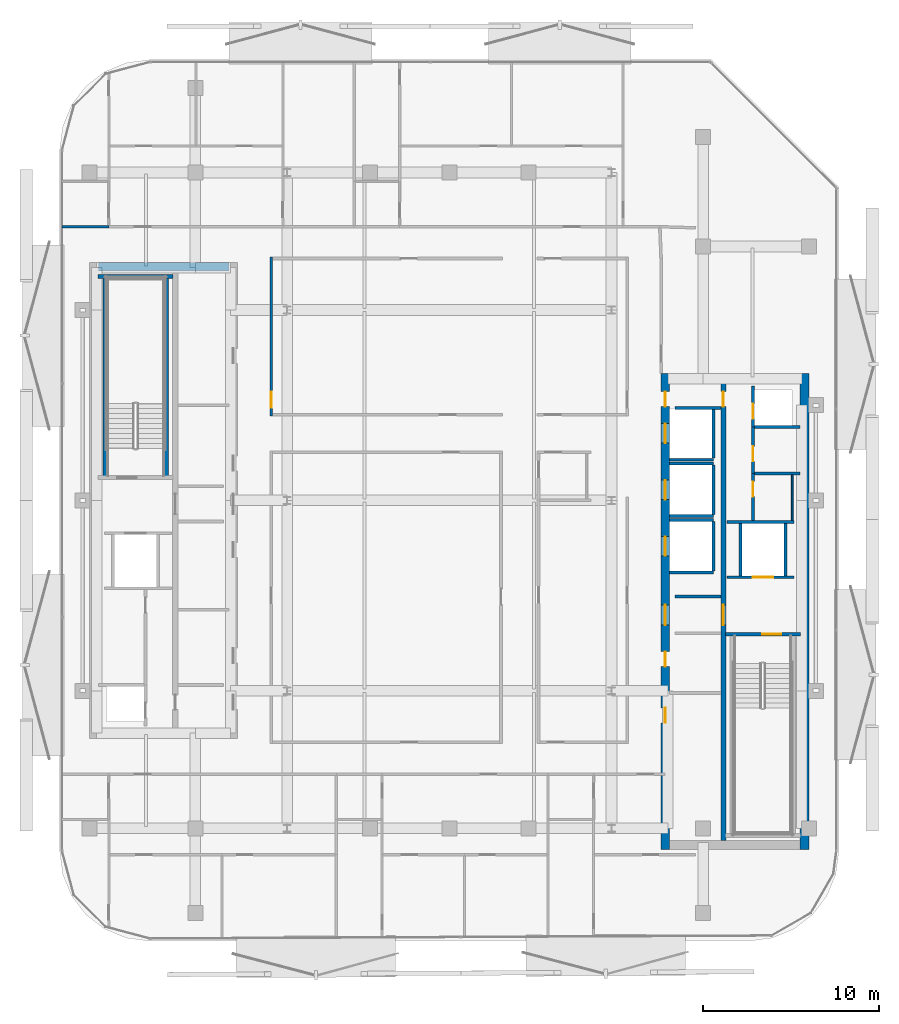
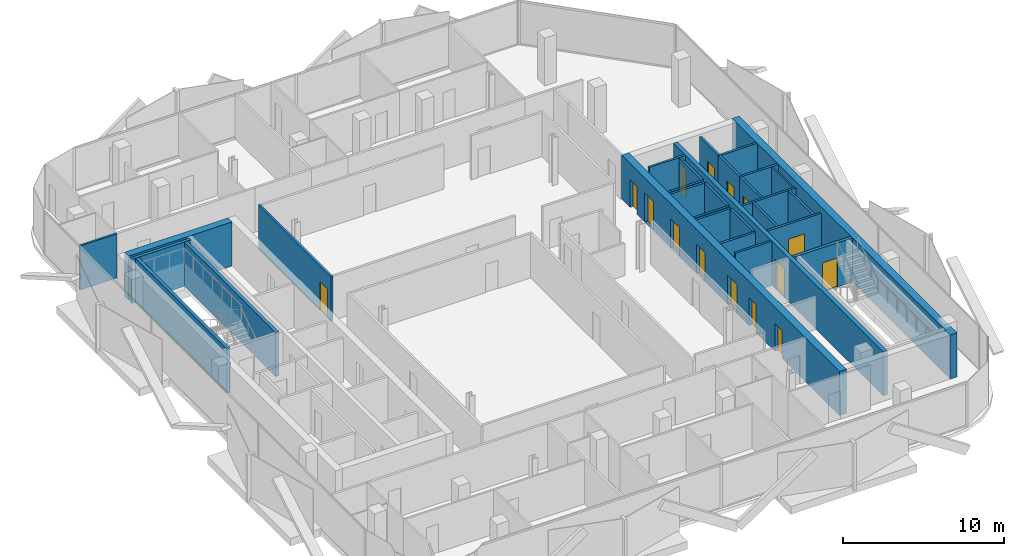
# One storey, part 5 of 15: 30 walls, 15 doors, 15 openings.
"""IFC4 building model written with IfcOpenShell, lengths in metres."""

from ifc_helpers import new_model, si_unit, direction, frame, frame_2d, origin, place, context, subcontext, project, spatial, rectangle, extrude, material, layer, layer_set, type_object, element, fill, save


model = new_model("IFC4")

# Units and contexts
model_context = context("Model", 3, precision=1e-05, world=origin(), true_north=direction((0.0, 1.0)))
body_context = subcontext(model_context, "Body", "Model", "MODEL_VIEW")
ifc_project = project(units=[si_unit("LENGTHUNIT", "METRE"), si_unit("AREAUNIT", "SQUARE_METRE"), si_unit("VOLUMEUNIT", "CUBIC_METRE"), si_unit("PLANEANGLEUNIT", "RADIAN"), si_unit("MASSUNIT", "GRAM", prefix="KILO")], contexts=[model_context])

# Site, building, storey
site_placement = place(None, origin())
site = spatial("IfcSite", under=ifc_project, at=site_placement, CompositionType="ELEMENT")
building_placement = place(site_placement, origin())
building = spatial("IfcBuilding", under=site, at=building_placement, Name="Khairoan Windgate Tower", CompositionType="ELEMENT")
storey_placement = place(building_placement, frame((0.0, 0.0, 254.800048828125)))
storey = spatial("IfcBuildingStorey", under=building, at=storey_placement, Name="L60", CompositionType="ELEMENT", Elevation=254.800048828125)

# Walls
ifc_material_1 = material(Name="Moisture-Resistant Gypsum Partition", Category="gypsum")
ifc_layer_1 = layer(ifc_material_1, 0.10009765625, Name="Moisture-Resistant Gypsum Partition")
ifc_layer_set_1 = layer_set([ifc_layer_1], Name="Moisture-Resistant Gypsum Partition")
wall_type_1 = type_object("IfcWallType", Name="Bathroom Wet-Area Partition Wall", PredefinedType="PARTITIONING", material=ifc_layer_set_1)
wall_1_placement = place(storey_placement, frame((19.449951171875, 1.449951171875, 0.0), z_axis=(0.0, 0.0, 1.0), x_axis=(0.0, -1.0, 0.0)))
element("IfcWall", 1, at=wall_1_placement, inside=storey, type_object=wall_type_1, Name="L60 Wet Room Side Wall 088", PredefinedType="PARTITIONING", context=body_context, shape_type="SweptSolid", body=[
    extrude(rectangle(XDim=2.58984375, YDim=0.10009765625, at=frame_2d((1.294921875, 0.0))), origin(), (0.0, 0.0, 1.0), 3.33984375),
])
ifc_material_2 = material(Name="Concrete C40/50", Category="concrete")
ifc_layer_2 = layer(ifc_material_2, 0.159912109375, Name="Concrete C40/50")
ifc_layer_set_2 = layer_set([ifc_layer_2], Name="Concrete C40/50")
wall_type_2 = type_object("IfcWallType", Name="Core and Hoistway Enclosure Wall", PredefinedType="STANDARD", material=ifc_layer_set_2)
wall_2_placement = place(storey_placement, frame((12.5, 2.31005859375, 0.0), z_axis=(0.0, 0.0, 1.0), x_axis=(1.0, 0.0, 0.0)))
element("IfcWall", 2, at=wall_2_placement, inside=storey, type_object=wall_type_2, Name="L60 Lift PL7 Hoistway Divider S", PredefinedType="STANDARD", context=body_context, shape_type="SweptSolid", body=[
    extrude(rectangle(XDim=2.489990234375, YDim=0.159912109375, at=frame_2d((1.2451171875, 0.0))), origin(), (0.0, 0.0, 1.0), 3.33984375),
])
wall_3_placement = place(storey_placement, frame((14.989990234375, 2.39990234375, 0.0), z_axis=(0.0, 0.0, 1.0), x_axis=(0.0, 1.0, 0.0)))
element("IfcWall", 3, at=wall_3_placement, inside=storey, type_object=wall_type_2, Name="L60 Lift PL7 Hoistway Back Wall", PredefinedType="STANDARD", context=body_context, shape_type="SweptSolid", body=[
    extrude(rectangle(XDim=2.800048828125, YDim=0.159912109375, at=frame_2d((1.39990234375, 0.0))), origin(), (0.0, 0.0, 1.0), 3.33984375),
])
for number, where, z_axis, x_axis, name in (
    (4, (12.5, -0.889892578125, 0.0), (0.0, 0.0, 1.0), (1.0, 0.0, 0.0), "L60 Lift PL8 Hoistway Divider S"),
    (5, (12.5, 2.090087890625, 0.0), (0.0, 0.0, 1.0), (1.0, 0.0, 0.0), "L60 Lift PL8 Hoistway Divider N"),
):
    element("IfcWall", number, at=place(storey_placement, frame(where, z_axis=z_axis, x_axis=x_axis)), inside=storey, type_object=wall_type_2, Name=name, PredefinedType="STANDARD", context=body_context, shape_type="SweptSolid", body=[
        extrude(rectangle(XDim=2.489990234375, YDim=0.159912109375, at=frame_2d((1.2451171875, 0.0))), origin(), (0.0, 0.0, 1.0), 3.33984375),
    ])
wall_4_placement = place(storey_placement, frame((14.989990234375, -0.800048828125, 0.0), z_axis=(0.0, 0.0, 1.0), x_axis=(0.0, 1.0, 0.0)))
element("IfcWall", 6, at=wall_4_placement, inside=storey, type_object=wall_type_2, Name="L60 Lift PL8 Hoistway Back Wall", PredefinedType="STANDARD", context=body_context, shape_type="SweptSolid", body=[
    extrude(rectangle(XDim=2.800048828125, YDim=0.159912109375, at=frame_2d((1.39990234375, 0.0))), origin(), (0.0, 0.0, 1.0), 3.33984375),
])
for number, where, z_axis, x_axis, name in (
    (7, (12.5, -4.090087890625, 0.0), (0.0, 0.0, 1.0), (1.0, 0.0, 0.0), "L60 Lift PL9 Hoistway Divider S"),
    (8, (12.5, -1.110107421875, 0.0), (0.0, 0.0, 1.0), (1.0, 0.0, 0.0), "L60 Lift PL9 Hoistway Divider N"),
):
    element("IfcWall", number, at=place(storey_placement, frame(where, z_axis=z_axis, x_axis=x_axis)), inside=storey, type_object=wall_type_2, Name=name, PredefinedType="STANDARD", context=body_context, shape_type="SweptSolid", body=[
        extrude(rectangle(XDim=2.489990234375, YDim=0.159912109375, at=frame_2d((1.2451171875, 0.0))), origin(), (0.0, 0.0, 1.0), 3.33984375),
    ])
wall_5_placement = place(storey_placement, frame((14.989990234375, -4.0, 0.0), z_axis=(0.0, 0.0, 1.0), x_axis=(0.0, 1.0, 0.0)))
element("IfcWall", 9, at=wall_5_placement, inside=storey, type_object=wall_type_2, Name="L60 Lift PL9 Hoistway Back Wall", PredefinedType="STANDARD", context=body_context, shape_type="SweptSolid", body=[
    extrude(rectangle(XDim=2.800048828125, YDim=0.159912109375, at=frame_2d((1.39990234375, 0.0))), origin(), (0.0, 0.0, 1.0), 3.33984375),
])

# Wall, opening, door
wall_6_placement = place(storey_placement, frame((15.75, -4.360107421875, 0.0), z_axis=(0.0, 0.0, 1.0), x_axis=(1.0, 0.0, 0.0)))
wall_6 = element("IfcWall", 10, at=wall_6_placement, inside=storey, type_object=wall_type_2, Name="L60 Core Shaft Wall SW-FL1-L60", PredefinedType="STANDARD", context=body_context, shape_type="SweptSolid", body=[
    extrude(rectangle(XDim=3.800048828125, YDim=0.159912109375, at=frame_2d((1.89990234375, 0.0))), origin(), (0.0, 0.0, 1.0), 3.33984375),
])
opening_1_placement = place(wall_6_placement, frame((1.469970703125, 0.0, 0.0)))
opening_1 = element("IfcOpeningElement", 11, at=opening_1_placement, cuts=wall_6, Name="Opening LD-FL", PredefinedType="OPENING", context=body_context, shape_type="SweptSolid", body=[
    extrude(rectangle(XDim=1.14990234375, YDim=2.199951171875, at=frame_2d((0.574951171875, 1.10009765625))), frame((0.0, 0.08984375, 0.0), z_axis=(0.0, -1.0, 0.0), x_axis=(1.0, 0.0, 0.0)), (0.0, 0.0, 1.0), 0.179931640625),
])
ifc_material_3 = material(Name="Steel S355", Category="steel")
door_type_1 = type_object("IfcDoorType", Name="Firefighting Lift Sliding Landing Door LD-FL 1150x2200", OperationType="DOUBLE_DOOR_SLIDING", PredefinedType="DOOR", material=ifc_material_3)
door_1_placement = place(opening_1_placement, origin())
door_1 = element("IfcDoor", 12, at=door_1_placement, inside=storey, type_object=door_type_1, Name="L60 Firefighting Lift FL1 Landing Door", OperationType="DOUBLE_DOOR_SLIDING", OverallHeight=2.199951171875, OverallWidth=1.14990234375, PredefinedType="DOOR", context=body_context, shape_type="SweptSolid", body=[
    extrude(rectangle(XDim=1.14990234375, YDim=2.199951171875, at=frame_2d((0.574951171875, 1.10009765625))), frame((0.0, 0.02490234375, 0.0), z_axis=(0.0, -1.0, 0.0), x_axis=(1.0, 0.0, 0.0)), (0.0, 0.0, 1.0), 0.050048828125),
])
fill(opening_1, door_1)

# Walls
wall_7_placement = place(storey_placement, frame((15.75, -1.219970703125, 0.0), z_axis=(0.0, 0.0, 1.0), x_axis=(1.0, 0.0, 0.0)))
element("IfcWall", 13, at=wall_7_placement, inside=storey, type_object=wall_type_2, Name="L60 Core Shaft Wall SW-FL1T-L60", PredefinedType="STANDARD", context=body_context, shape_type="SweptSolid", body=[
    extrude(rectangle(XDim=3.800048828125, YDim=0.159912109375, at=frame_2d((1.89990234375, 0.0))), origin(), (0.0, 0.0, 1.0), 3.33984375),
])
for number, where, z_axis, x_axis, name in (
    (14, (16.52001953125, -4.280029296875, 0.0), (0.0, 0.0, 1.0), (0.0, 1.0, 0.0), "L60 Core Shaft Wall SW-FL1W-L60"),
    (15, (19.080078125, -4.280029296875, 0.0), (0.0, 0.0, 1.0), (0.0, 1.0, 0.0), "L60 Core Shaft Wall SW-FL1E-L60"),
):
    element("IfcWall", number, at=place(storey_placement, frame(where, z_axis=z_axis, x_axis=x_axis)), inside=storey, type_object=wall_type_2, Name=name, PredefinedType="STANDARD", context=body_context, shape_type="SweptSolid", body=[
        extrude(rectangle(XDim=2.97998046875, YDim=0.159912109375, at=frame_2d((1.489990234375, 0.0))), origin(), (0.0, 0.0, 1.0), 3.33984375),
    ])
for number, where, z_axis, x_axis, name in (
    (16, (12.800048828125, -5.449951171875, 0.0), (0.0, 0.0, 1.0), (1.0, 0.0, 0.0), "L60 Core Shaft Wall SW-EV1-L60"),
    (17, (12.800048828125, 5.25, 0.0), (0.0, 0.0, 1.0), (1.0, 0.0, 0.0), "L60 Core Shaft Wall SW-ESV-L60"),
):
    element("IfcWall", number, at=place(storey_placement, frame(where, z_axis=z_axis, x_axis=x_axis)), inside=storey, type_object=wall_type_2, Name=name, PredefinedType="STANDARD", context=body_context, shape_type="SweptSolid", body=[
        extrude(rectangle(XDim=2.599853515625, YDim=0.159912109375, at=frame_2d((1.2998046875, 0.0))), origin(), (0.0, 0.0, 1.0), 3.33984375),
    ])

# Wall, opening, door
ifc_material_4 = material(Name="Concrete C40/50", Category="concrete")
ifc_layer_3 = layer(ifc_material_4, 0.159912109375, Name="Concrete C40/50")
ifc_layer_set_3 = layer_set([ifc_layer_3], Name="Concrete C40/50")
wall_type_3 = type_object("IfcWallType", Name="Plant and Refuge Compartment Wall", PredefinedType="PARTITIONING", material=ifc_layer_set_3)
wall_8_placement = place(storey_placement, frame((17.22998046875, 4.169921875, 0.0), z_axis=(0.0, 0.0, 1.0), x_axis=(0.0, 1.0, 0.0)))
wall_8 = element("IfcWall", 18, at=wall_8_placement, inside=storey, type_object=wall_type_3, Name="L60 Interior Partition 006", PredefinedType="PARTITIONING", context=body_context, shape_type="SweptSolid", body=[
    extrude(rectangle(XDim=2.320068359375, YDim=0.159912109375, at=frame_2d((1.16015625, 0.0))), origin(), (0.0, 0.0, 1.0), 3.33984375),
])
opening_2_placement = place(wall_8_placement, frame((0.4599609375, 0.0, 0.0)))
opening_2 = element("IfcOpeningElement", 19, at=opening_2_placement, cuts=wall_8, Name="Opening FD-SRV", PredefinedType="OPENING", context=body_context, shape_type="SweptSolid", body=[
    extrude(rectangle(XDim=0.85009765625, YDim=2.10009765625, at=frame_2d((0.425048828125, 1.050048828125))), frame((0.0, 0.08984375, 0.0), z_axis=(0.0, -1.0, 0.0), x_axis=(1.0, 0.0, 0.0)), (0.0, 0.0, 1.0), 0.179931640625),
])
ifc_material_5 = material(Name="Steel S355", Category="steel")
door_type_2 = type_object("IfcDoorType", Name="Core Service and Riser Fire Door FD-SRV 850x2100", OperationType="NOTDEFINED", PredefinedType="DOOR", material=ifc_material_5)
door_2_placement = place(opening_2_placement, origin())
door_2 = element("IfcDoor", 20, at=door_2_placement, inside=storey, type_object=door_type_2, Name="L60 L60-16-L60-17 Door", OperationType="SINGLE_SWING_RIGHT", OverallHeight=2.10009765625, OverallWidth=0.85009765625, PredefinedType="DOOR", context=body_context, shape_type="SweptSolid", body=[
    extrude(rectangle(XDim=0.85009765625, YDim=2.10009765625, at=frame_2d((0.425048828125, 1.050048828125))), frame((0.0, 0.02490234375, 0.0), z_axis=(0.0, -1.0, 0.0), x_axis=(1.0, 0.0, 0.0)), (0.0, 0.0, 1.0), 0.050048828125),
])
fill(opening_2, door_2)

wall_9_placement = place(storey_placement, frame((17.22998046875, -1.139892578125, 0.0), z_axis=(0.0, 0.0, 1.0), x_axis=(0.0, 1.0, 0.0)))
wall_9 = element("IfcWall", 21, at=wall_9_placement, inside=storey, type_object=wall_type_3, Name="L60 Interior Partition 007", PredefinedType="PARTITIONING", context=body_context, shape_type="SweptSolid", body=[
    extrude(rectangle(XDim=2.669921875, YDim=0.159912109375, at=frame_2d((1.3349609375, 0.0))), origin(), (0.0, 0.0, 1.0), 3.33984375),
])
opening_3_placement = place(wall_9_placement, frame((1.360107421875, 0.0, 0.0)))
opening_3 = element("IfcOpeningElement", 22, at=opening_3_placement, cuts=wall_9, Name="Opening FD-SRV", PredefinedType="OPENING", context=body_context, shape_type="SweptSolid", body=[
    extrude(rectangle(XDim=0.85009765625, YDim=2.10009765625, at=frame_2d((0.425048828125, 1.050048828125))), frame((0.0, 0.08984375, 0.0), z_axis=(0.0, -1.0, 0.0), x_axis=(1.0, 0.0, 0.0)), (0.0, 0.0, 1.0), 0.179931640625),
])
door_3_placement = place(opening_3_placement, origin())
door_3 = element("IfcDoor", 23, at=door_3_placement, inside=storey, type_object=door_type_2, Name="L60 L60-16-L60-18 Door", OperationType="SINGLE_SWING_LEFT", OverallHeight=2.10009765625, OverallWidth=0.85009765625, PredefinedType="DOOR", context=body_context, shape_type="SweptSolid", body=[
    extrude(rectangle(XDim=0.85009765625, YDim=2.10009765625, at=frame_2d((0.425048828125, 1.050048828125))), frame((0.0, 0.02490234375, 0.0), z_axis=(0.0, -1.0, 0.0), x_axis=(1.0, 0.0, 0.0)), (0.0, 0.0, 1.0), 0.050048828125),
])
fill(opening_3, door_3)

wall_10_placement = place(storey_placement, frame((17.22998046875, 1.530029296875, 0.0), z_axis=(0.0, 0.0, 1.0), x_axis=(0.0, 1.0, 0.0)))
wall_10 = element("IfcWall", 24, at=wall_10_placement, inside=storey, type_object=wall_type_3, Name="L60 Interior Partition 008", PredefinedType="PARTITIONING", context=body_context, shape_type="SweptSolid", body=[
    extrude(rectangle(XDim=2.639892578125, YDim=0.159912109375, at=frame_2d((1.31982421875, 0.0))), origin(), (0.0, 0.0, 1.0), 3.33984375),
])
opening_4_placement = place(wall_10_placement, frame((0.677490234375, 0.0, 0.0)))
opening_4 = element("IfcOpeningElement", 25, at=opening_4_placement, cuts=wall_10, Name="Opening FD-SRV", PredefinedType="OPENING", context=body_context, shape_type="SweptSolid", body=[
    extrude(rectangle(XDim=0.85009765625, YDim=2.10009765625, at=frame_2d((0.425048828125, 1.050048828125))), frame((0.0, 0.08984375, 0.0), z_axis=(0.0, -1.0, 0.0), x_axis=(1.0, 0.0, 0.0)), (0.0, 0.0, 1.0), 0.179931640625),
])
door_4_placement = place(opening_4_placement, origin())
door_4 = element("IfcDoor", 26, at=door_4_placement, inside=storey, type_object=door_type_2, Name="L60 L60-16-L60-19 Door", OperationType="SINGLE_SWING_RIGHT", OverallHeight=2.10009765625, OverallWidth=0.85009765625, PredefinedType="DOOR", context=body_context, shape_type="SweptSolid", body=[
    extrude(rectangle(XDim=0.85009765625, YDim=2.10009765625, at=frame_2d((0.425048828125, 1.050048828125))), frame((0.0, 0.02490234375, 0.0), z_axis=(0.0, -1.0, 0.0), x_axis=(1.0, 0.0, 0.0)), (0.0, 0.0, 1.0), 0.050048828125),
])
fill(opening_4, door_4)

# Walls
for number, where, z_axis, x_axis, name in (
    (27, (17.31005859375, 4.169921875, 0.0), (0.0, 0.0, 1.0), (1.0, 0.0, 0.0), "L60 Interior Partition 009"),
    (28, (17.31005859375, 1.530029296875, 0.0), (0.0, 0.0, 1.0), (1.0, 0.0, 0.0), "L60 Interior Partition 010"),
):
    element("IfcWall", number, at=place(storey_placement, frame(where, z_axis=z_axis, x_axis=x_axis)), inside=storey, type_object=wall_type_3, Name=name, PredefinedType="PARTITIONING", context=body_context, shape_type="SweptSolid", body=[
        extrude(rectangle(XDim=2.58984375, YDim=0.159912109375, at=frame_2d((1.294921875, 0.0))), origin(), (0.0, 0.0, 1.0), 3.33984375),
    ])

# Wall, opening, door
ifc_material_6 = material(Name="Acoustic Fire-Rated Gypsum Partition", Category="gypsum")
ifc_layer_4 = layer(ifc_material_6, 0.14990234375, Name="Acoustic Fire-Rated Gypsum Partition")
ifc_layer_set_4 = layer_set([ifc_layer_4], Name="Acoustic Fire-Rated Gypsum Partition")
wall_type_4 = type_object("IfcWallType", Name="Rated Corridor Partition Wall", PredefinedType="PARTITIONING", material=ifc_layer_set_4)
wall_11_placement = place(storey_placement, frame((-10.10009765625, 4.7900390625, 0.0), z_axis=(0.0, 0.0, 1.0), x_axis=(0.0, 1.0, 0.0)))
wall_11 = element("IfcWall", 29, at=wall_11_placement, inside=storey, type_object=wall_type_4, Name="L60 Interior Partition 012", PredefinedType="PARTITIONING", context=body_context, shape_type="SweptSolid", body=[
    extrude(rectangle(XDim=9.0048828125, YDim=0.14990234375, at=frame_2d((4.50244140625, 0.0))), origin(), (0.0, 0.0, 1.0), 3.33984375),
])
opening_5_placement = place(wall_11_placement, frame((0.4599609375, 0.0, 0.0)))
opening_5 = element("IfcOpeningElement", 30, at=opening_5_placement, cuts=wall_11, Name="Opening FD-ENT", PredefinedType="OPENING", context=body_context, shape_type="SweptSolid", body=[
    extrude(rectangle(XDim=0.89990234375, YDim=2.14990234375, at=frame_2d((0.449951171875, 1.074951171875))), frame((0.0, 0.0849609375, 0.0), z_axis=(0.0, -1.0, 0.0), x_axis=(1.0, 0.0, 0.0)), (0.0, 0.0, 1.0), 0.169921875),
])
ifc_material_7 = material(Name="Timber Fire-Rated Core", Category="wood")
door_type_3 = type_object("IfcDoorType", Name="Unit and Office Fire Entrance Door FD-ENT 900x2150", OperationType="NOTDEFINED", PredefinedType="DOOR", material=ifc_material_7)
door_5_placement = place(opening_5_placement, origin())
door_5 = element("IfcDoor", 31, at=door_5_placement, inside=storey, type_object=door_type_3, Name="L60 L60-27-L60-60 Door", OperationType="SINGLE_SWING_LEFT", OverallHeight=2.14990234375, OverallWidth=0.89990234375, PredefinedType="DOOR", context=body_context, shape_type="SweptSolid", body=[
    extrude(rectangle(XDim=0.89990234375, YDim=2.14990234375, at=frame_2d((0.449951171875, 1.074951171875))), frame((0.0, 0.02490234375, 0.0), z_axis=(0.0, -1.0, 0.0), x_axis=(1.0, 0.0, 0.0)), (0.0, 0.0, 1.0), 0.050048828125),
])
fill(opening_5, door_5)

# Wall
wall_12_placement = place(storey_placement, frame((-21.955078125, 15.52490234375, 0.0), z_axis=(0.0, 0.0, 1.0), x_axis=(1.0, 0.0, 0.0)))
element("IfcWall", 32, at=wall_12_placement, inside=storey, type_object=wall_type_4, Name="L60 Interior Partition 024", PredefinedType="PARTITIONING", context=body_context, shape_type="SweptSolid", body=[
    extrude(rectangle(XDim=2.64501953125, YDim=0.14990234375, at=frame_2d((1.322509765625, 0.0))), origin(), (0.0, 0.0, 1.0), 3.33984375),
])

# Wall, openings, doors
ifc_material_8 = material(Name="Concrete C50/60", Category="concrete")
ifc_layer_5 = layer(ifc_material_8, 0.5, Name="Concrete C50/60")
ifc_layer_set_5 = layer_set([ifc_layer_5], Name="Concrete C50/60")
wall_type_5 = type_object("IfcWallType", Name="Shear Wall CW-E3 500mm", PredefinedType="SHEAR", material=ifc_layer_set_5)
wall_13_placement = place(storey_placement, frame((12.25, -19.800048828125, 0.0), z_axis=(0.0, 0.0, 1.0), x_axis=(0.0, 1.0, 0.0)))
wall_13 = element("IfcWall", 33, at=wall_13_placement, inside=storey, type_object=wall_type_5, Name="E Core West Shear Wall L60", PredefinedType="SHEAR", context=body_context, shape_type="SweptSolid", body=[
    extrude(rectangle(XDim=27.0, YDim=0.5, at=frame_2d((13.5, 0.0))), origin(), (0.0, 0.0, 1.0), 3.33984375),
])
opening_6_placement = place(wall_13_placement, frame((23.050048828125, 0.0, 0.0)))
opening_6 = element("IfcOpeningElement", 34, at=opening_6_placement, cuts=wall_13, Name="Opening LD-PL", PredefinedType="OPENING", context=body_context, shape_type="SweptSolid", body=[
    extrude(rectangle(XDim=1.10009765625, YDim=2.199951171875, at=frame_2d((0.550048828125, 1.10009765625))), frame((0.0, 0.260009765625, 0.0), z_axis=(0.0, -1.0, 0.0), x_axis=(1.0, 0.0, 0.0)), (0.0, 0.0, 1.0), 0.52001953125),
])
opening_7_placement = place(wall_13_placement, frame((19.85009765625, 0.0, 0.0)))
opening_7 = element("IfcOpeningElement", 35, at=opening_7_placement, cuts=wall_13, Name="Opening LD-PL", PredefinedType="OPENING", context=body_context, shape_type="SweptSolid", body=[
    extrude(rectangle(XDim=1.10009765625, YDim=2.199951171875, at=frame_2d((0.550048828125, 1.10009765625))), frame((0.0, 0.260009765625, 0.0), z_axis=(0.0, -1.0, 0.0), x_axis=(1.0, 0.0, 0.0)), (0.0, 0.0, 1.0), 0.52001953125),
])
opening_8_placement = place(wall_13_placement, frame((16.64990234375, 0.0, 0.0)))
opening_8 = element("IfcOpeningElement", 36, at=opening_8_placement, cuts=wall_13, Name="Opening LD-PL", PredefinedType="OPENING", context=body_context, shape_type="SweptSolid", body=[
    extrude(rectangle(XDim=1.10009765625, YDim=2.199951171875, at=frame_2d((0.550048828125, 1.10009765625))), frame((0.0, 0.260009765625, 0.0), z_axis=(0.0, -1.0, 0.0), x_axis=(1.0, 0.0, 0.0)), (0.0, 0.0, 1.0), 0.52001953125),
])
opening_9_placement = place(wall_13_placement, frame((7.175048828125, 0.0, 0.0)))
opening_9 = element("IfcOpeningElement", 37, at=opening_9_placement, cuts=wall_13, Name="Opening FD-SRV", PredefinedType="OPENING", context=body_context, shape_type="SweptSolid", body=[
    extrude(rectangle(XDim=0.85009765625, YDim=2.10009765625, at=frame_2d((0.425048828125, 1.050048828125))), frame((0.0, 0.260009765625, 0.0), z_axis=(0.0, -1.0, 0.0), x_axis=(1.0, 0.0, 0.0)), (0.0, 0.0, 1.0), 0.52001953125),
])
opening_10_placement = place(wall_13_placement, frame((10.375, 0.0, 0.0)))
opening_10 = element("IfcOpeningElement", 38, at=opening_10_placement, cuts=wall_13, Name="Opening FD-SRV", PredefinedType="OPENING", context=body_context, shape_type="SweptSolid", body=[
    extrude(rectangle(XDim=0.85009765625, YDim=2.10009765625, at=frame_2d((0.425048828125, 1.050048828125))), frame((0.0, 0.260009765625, 0.0), z_axis=(0.0, -1.0, 0.0), x_axis=(1.0, 0.0, 0.0)), (0.0, 0.0, 1.0), 0.52001953125),
])
opening_11_placement = place(wall_13_placement, frame((12.72509765625, 0.0, 0.0)))
opening_11 = element("IfcOpeningElement", 39, at=opening_11_placement, cuts=wall_13, Name="Opening FD-FFL", PredefinedType="OPENING", context=body_context, shape_type="SweptSolid", body=[
    extrude(rectangle(XDim=1.14990234375, YDim=2.199951171875, at=frame_2d((0.574951171875, 1.10009765625))), frame((0.0, 0.260009765625, 0.0), z_axis=(0.0, -1.0, 0.0), x_axis=(1.0, 0.0, 0.0)), (0.0, 0.0, 1.0), 0.52001953125),
])
opening_12_placement = place(wall_13_placement, frame((25.125, 0.0, 0.0)))
opening_12 = element("IfcOpeningElement", 40, at=opening_12_placement, cuts=wall_13, Name="Opening FD-SRV", PredefinedType="OPENING", context=body_context, shape_type="SweptSolid", body=[
    extrude(rectangle(XDim=0.85009765625, YDim=2.10009765625, at=frame_2d((0.425048828125, 1.050048828125))), frame((0.0, 0.260009765625, 0.0), z_axis=(0.0, -1.0, 0.0), x_axis=(1.0, 0.0, 0.0)), (0.0, 0.0, 1.0), 0.52001953125),
])
door_6_placement = place(opening_9_placement, origin())
door_6 = element("IfcDoor", 41, at=door_6_placement, inside=storey, type_object=door_type_2, Name="L60 East Core Service Room Door 1", OperationType="SINGLE_SWING_RIGHT", OverallHeight=2.10009765625, OverallWidth=0.85009765625, PredefinedType="DOOR", context=body_context, shape_type="SweptSolid", body=[
    extrude(rectangle(XDim=0.85009765625, YDim=2.10009765625, at=frame_2d((0.425048828125, 1.050048828125))), frame((0.0, 0.02490234375, 0.0), z_axis=(0.0, -1.0, 0.0), x_axis=(1.0, 0.0, 0.0)), (0.0, 0.0, 1.0), 0.050048828125),
])
fill(opening_9, door_6)
door_7_placement = place(opening_10_placement, origin())
door_7 = element("IfcDoor", 42, at=door_7_placement, inside=storey, type_object=door_type_2, Name="L60 East Core Service Room Door 2", OperationType="SINGLE_SWING_LEFT", OverallHeight=2.10009765625, OverallWidth=0.85009765625, PredefinedType="DOOR", context=body_context, shape_type="SweptSolid", body=[
    extrude(rectangle(XDim=0.85009765625, YDim=2.10009765625, at=frame_2d((0.425048828125, 1.050048828125))), frame((0.0, 0.02490234375, 0.0), z_axis=(0.0, -1.0, 0.0), x_axis=(1.0, 0.0, 0.0)), (0.0, 0.0, 1.0), 0.050048828125),
])
fill(opening_10, door_7)
door_8_placement = place(opening_12_placement, origin())
door_8 = element("IfcDoor", 43, at=door_8_placement, inside=storey, type_object=door_type_2, Name="L60 East Core Service Vestibule Outer Door", OperationType="SINGLE_SWING_RIGHT", OverallHeight=2.10009765625, OverallWidth=0.85009765625, PredefinedType="DOOR", context=body_context, shape_type="SweptSolid", body=[
    extrude(rectangle(XDim=0.85009765625, YDim=2.10009765625, at=frame_2d((0.425048828125, 1.050048828125))), frame((0.0, 0.02490234375, 0.0), z_axis=(0.0, -1.0, 0.0), x_axis=(1.0, 0.0, 0.0)), (0.0, 0.0, 1.0), 0.050048828125),
])
fill(opening_12, door_8)
ifc_material_9 = material(Name="Steel S355", Category="steel")
door_type_4 = type_object("IfcDoorType", Name="Firefighting Lobby Fire Door FD-FFL 1150x2200", OperationType="NOTDEFINED", PredefinedType="DOOR", material=ifc_material_9)
door_9_placement = place(opening_11_placement, origin())
door_9 = element("IfcDoor", 44, at=door_9_placement, inside=storey, type_object=door_type_4, Name="L60 East Core Vestibule Entry Door", OperationType="SINGLE_SWING_RIGHT", OverallHeight=2.199951171875, OverallWidth=1.14990234375, PredefinedType="DOOR", context=body_context, shape_type="SweptSolid", body=[
    extrude(rectangle(XDim=1.14990234375, YDim=2.199951171875, at=frame_2d((0.574951171875, 1.10009765625))), frame((0.0, 0.02490234375, 0.0), z_axis=(0.0, -1.0, 0.0), x_axis=(1.0, 0.0, 0.0)), (0.0, 0.0, 1.0), 0.050048828125),
])
fill(opening_11, door_9)
ifc_material_10 = material(Name="Anodised Bronze Aluminium 6063-T6", Category="aluminium")
door_type_5 = type_object("IfcDoorType", Name="Passenger Lift Sliding Landing Door LD-PL 1100x2200", OperationType="DOUBLE_DOOR_SLIDING", PredefinedType="DOOR", material=ifc_material_10)
door_10_placement = place(opening_6_placement, origin())
door_10 = element("IfcDoor", 45, at=door_10_placement, inside=storey, type_object=door_type_5, Name="L60 Lift PL7 Sliding Landing Door", OperationType="DOUBLE_DOOR_SLIDING", OverallHeight=2.199951171875, OverallWidth=1.10009765625, PredefinedType="DOOR", context=body_context, shape_type="SweptSolid", body=[
    extrude(rectangle(XDim=1.10009765625, YDim=2.199951171875, at=frame_2d((0.550048828125, 1.10009765625))), frame((0.0, 0.02490234375, 0.0), z_axis=(0.0, -1.0, 0.0), x_axis=(1.0, 0.0, 0.0)), (0.0, 0.0, 1.0), 0.050048828125),
])
fill(opening_6, door_10)
door_11_placement = place(opening_7_placement, origin())
door_11 = element("IfcDoor", 46, at=door_11_placement, inside=storey, type_object=door_type_5, Name="L60 Lift PL8 Sliding Landing Door", OperationType="DOUBLE_DOOR_SLIDING", OverallHeight=2.199951171875, OverallWidth=1.10009765625, PredefinedType="DOOR", context=body_context, shape_type="SweptSolid", body=[
    extrude(rectangle(XDim=1.10009765625, YDim=2.199951171875, at=frame_2d((0.550048828125, 1.10009765625))), frame((0.0, 0.02490234375, 0.0), z_axis=(0.0, -1.0, 0.0), x_axis=(1.0, 0.0, 0.0)), (0.0, 0.0, 1.0), 0.050048828125),
])
fill(opening_7, door_11)
door_12_placement = place(opening_8_placement, origin())
door_12 = element("IfcDoor", 47, at=door_12_placement, inside=storey, type_object=door_type_5, Name="L60 Lift PL9 Sliding Landing Door", OperationType="DOUBLE_DOOR_SLIDING", OverallHeight=2.199951171875, OverallWidth=1.10009765625, PredefinedType="DOOR", context=body_context, shape_type="SweptSolid", body=[
    extrude(rectangle(XDim=1.10009765625, YDim=2.199951171875, at=frame_2d((0.550048828125, 1.10009765625))), frame((0.0, 0.02490234375, 0.0), z_axis=(0.0, -1.0, 0.0), x_axis=(1.0, 0.0, 0.0)), (0.0, 0.0, 1.0), 0.050048828125),
])
fill(opening_8, door_12)

# Walls
wall_14_placement = place(storey_placement, frame((20.14990234375, -19.800048828125, 0.0), z_axis=(0.0, 0.0, 1.0), x_axis=(0.0, 1.0, 0.0)))
element("IfcWall", 48, at=wall_14_placement, inside=storey, type_object=wall_type_5, Name="E Core East Shear Wall L60", PredefinedType="SHEAR", context=body_context, shape_type="SweptSolid", body=[
    extrude(rectangle(XDim=27.0, YDim=0.5, at=frame_2d((13.5, 0.0))), origin(), (0.0, 0.0, 1.0), 3.33984375),
])
ifc_material_11 = material(Name="Concrete C50/60", Category="concrete")
ifc_layer_6 = layer(ifc_material_11, 0.5, Name="Concrete C50/60")
ifc_layer_set_6 = layer_set([ifc_layer_6], Name="Concrete C50/60")
wall_type_6 = type_object("IfcWallType", Name="Shear Wall CW-W3 500mm", PredefinedType="SHEAR", material=ifc_layer_set_6)
wall_15_placement = place(storey_placement, frame((-19.89990234375, 13.25, 0.0), z_axis=(0.0, 0.0, 1.0), x_axis=(1.0, 0.0, 0.0)))
element("IfcWall", 49, at=wall_15_placement, inside=storey, type_object=wall_type_6, Name="W Core North Shear Wall L60", PredefinedType="SHEAR", context=body_context, shape_type="SweptSolid", body=[
    extrude(rectangle(XDim=7.39990234375, YDim=0.5, at=frame_2d((3.699951171875, 0.0))), origin(), (0.0, 0.0, 1.0), 3.33984375),
])

# Wall, openings, doors
ifc_material_12 = material(Name="Concrete C50/60", Category="concrete")
ifc_layer_7 = layer(ifc_material_12, 0.300048828125, Name="Concrete C50/60")
ifc_layer_set_7 = layer_set([ifc_layer_7], Name="Concrete C50/60")
wall_type_7 = type_object("IfcWallType", Name="Shear Wall SW-2 300mm", PredefinedType="SHEAR", material=ifc_layer_set_7)
wall_16_placement = place(storey_placement, frame((15.550048828125, -19.300048828125, 0.0), z_axis=(0.0, 0.0, 1.0), x_axis=(0.0, 1.0, 0.0)))
wall_16 = element("IfcWall", 50, at=wall_16_placement, inside=storey, type_object=wall_type_7, Name="E Core Spine Shear Wall L60", PredefinedType="SHEAR", context=body_context, shape_type="SweptSolid", body=[
    extrude(rectangle(XDim=26.0, YDim=0.300048828125, at=frame_2d((13.0, 0.0))), origin(), (0.0, 0.0, 1.0), 3.33984375),
])
opening_13_placement = place(wall_16_placement, frame((12.22509765625, 0.0, 0.0)))
opening_13 = element("IfcOpeningElement", 51, at=opening_13_placement, cuts=wall_16, Name="Opening FD-FFL", PredefinedType="OPENING", context=body_context, shape_type="SweptSolid", body=[
    extrude(rectangle(XDim=1.14990234375, YDim=2.199951171875, at=frame_2d((0.574951171875, 1.10009765625))), frame((0.0, 0.159912109375, 0.0), z_axis=(0.0, -1.0, 0.0), x_axis=(1.0, 0.0, 0.0)), (0.0, 0.0, 1.0), 0.320068359375),
])
opening_14_placement = place(wall_16_placement, frame((24.625, 0.0, 0.0)))
opening_14 = element("IfcOpeningElement", 52, at=opening_14_placement, cuts=wall_16, Name="Opening FD-SRV", PredefinedType="OPENING", context=body_context, shape_type="SweptSolid", body=[
    extrude(rectangle(XDim=0.85009765625, YDim=2.10009765625, at=frame_2d((0.425048828125, 1.050048828125))), frame((0.0, 0.159912109375, 0.0), z_axis=(0.0, -1.0, 0.0), x_axis=(1.0, 0.0, 0.0)), (0.0, 0.0, 1.0), 0.320068359375),
])
door_13_placement = place(opening_14_placement, origin())
door_13 = element("IfcDoor", 53, at=door_13_placement, inside=storey, type_object=door_type_2, Name="L60 East Core Service Passage Inner Door", OperationType="SINGLE_SWING_LEFT", OverallHeight=2.10009765625, OverallWidth=0.85009765625, PredefinedType="DOOR", context=body_context, shape_type="SweptSolid", body=[
    extrude(rectangle(XDim=0.85009765625, YDim=2.10009765625, at=frame_2d((0.425048828125, 1.050048828125))), frame((0.0, 0.02490234375, 0.0), z_axis=(0.0, -1.0, 0.0), x_axis=(1.0, 0.0, 0.0)), (0.0, 0.0, 1.0), 0.050048828125),
])
fill(opening_14, door_13)
door_14_placement = place(opening_13_placement, origin())
door_14 = element("IfcDoor", 54, at=door_14_placement, inside=storey, type_object=door_type_4, Name="L60 East Firefighting Lobby Fire Door", OperationType="SINGLE_SWING_LEFT", OverallHeight=2.199951171875, OverallWidth=1.14990234375, PredefinedType="DOOR", context=body_context, shape_type="SweptSolid", body=[
    extrude(rectangle(XDim=1.14990234375, YDim=2.199951171875, at=frame_2d((0.574951171875, 1.10009765625))), frame((0.0, 0.02490234375, 0.0), z_axis=(0.0, -1.0, 0.0), x_axis=(1.0, 0.0, 0.0)), (0.0, 0.0, 1.0), 0.050048828125),
])
fill(opening_13, door_14)

# Wall, opening, door
ifc_material_13 = material(Name="Concrete C50/60", Category="concrete")
ifc_layer_8 = layer(ifc_material_13, 0.219970703125, Name="Concrete C50/60")
ifc_layer_set_8 = layer_set([ifc_layer_8], Name="Concrete C50/60")
wall_type_8 = type_object("IfcWallType", Name="Shear Wall SW-ST 220mm", PredefinedType="SHEAR", material=ifc_layer_set_8)
wall_17_placement = place(storey_placement, frame((19.919921875, -7.590087890625, 0.0), z_axis=(0.0, 0.0, 1.0), x_axis=(-1.0, 0.0, 0.0)))
wall_17 = element("IfcWall", 55, at=wall_17_placement, inside=storey, type_object=wall_type_8, Name="L60 Stair ST1 North Bearing Wall", PredefinedType="SHEAR", context=body_context, shape_type="SweptSolid", body=[
    extrude(rectangle(XDim=4.239990234375, YDim=0.219970703125, at=frame_2d((2.1201171875, 0.0))), origin(), (0.0, 0.0, 1.0), 3.33984375),
])
opening_15_placement = place(wall_17_placement, frame((1.080078125, 0.0, 0.0)))
opening_15 = element("IfcOpeningElement", 56, at=opening_15_placement, cuts=wall_17, Name="Opening FD-ST", PredefinedType="OPENING", context=body_context, shape_type="SweptSolid", body=[
    extrude(rectangle(XDim=1.10009765625, YDim=2.199951171875, at=frame_2d((0.550048828125, 1.10009765625))), frame((0.0, 0.119873046875, 0.0), z_axis=(0.0, -1.0, 0.0), x_axis=(1.0, 0.0, 0.0)), (0.0, 0.0, 1.0), 0.239990234375),
])
ifc_material_14 = material(Name="Steel S355", Category="steel")
door_type_6 = type_object("IfcDoorType", Name="Smokeproof Stair Fire Door FD-ST 1100x2200", OperationType="NOTDEFINED", PredefinedType="DOOR", material=ifc_material_14)
door_15_placement = place(opening_15_placement, origin())
door_15 = element("IfcDoor", 57, at=door_15_placement, inside=storey, type_object=door_type_6, Name="L60 Stair ST1 Fire Door", OperationType="SINGLE_SWING_RIGHT", OverallHeight=2.199951171875, OverallWidth=1.10009765625, PredefinedType="DOOR", context=body_context, shape_type="SweptSolid", body=[
    extrude(rectangle(XDim=1.10009765625, YDim=2.199951171875, at=frame_2d((0.550048828125, 1.10009765625))), frame((0.0, 0.02490234375, 0.0), z_axis=(0.0, -1.0, 0.0), x_axis=(1.0, 0.0, 0.0)), (0.0, 0.0, 1.0), 0.050048828125),
])
fill(opening_15, door_15)

# Walls
for number, where, z_axis, x_axis, name in (
    (58, (-16.0400390625, 1.2900390625, 0.0), (0.0, 0.0, 1.0), (0.0, 1.0, 0.0), "L60 Stair ST2 East Bearing Wall"),
    (59, (-19.530029296875, 1.2900390625, 0.0), (0.0, 0.0, 1.0), (0.0, 1.0, 0.0), "L60 Stair ST2 West Bearing Wall"),
):
    element("IfcWall", number, at=place(storey_placement, frame(where, z_axis=z_axis, x_axis=x_axis)), inside=storey, type_object=wall_type_8, Name=name, PredefinedType="SHEAR", context=body_context, shape_type="SweptSolid", body=[
        extrude(rectangle(XDim=11.419921875, YDim=0.219970703125, at=frame_2d((5.7099609375, 0.0))), origin(), (0.0, 0.0, 1.0), 3.33984375),
    ])
wall_18_placement = place(storey_placement, frame((-19.919921875, 12.7099609375, 0.0), z_axis=(0.0, 0.0, 1.0), x_axis=(1.0, 0.0, 0.0)))
element("IfcWall", 60, at=wall_18_placement, inside=storey, type_object=wall_type_8, Name="L60 Stair ST2 North Bearing Wall", PredefinedType="SHEAR", context=body_context, shape_type="SweptSolid", body=[
    extrude(rectangle(XDim=4.239990234375, YDim=0.219970703125, at=frame_2d((2.1201171875, 0.0))), origin(), (0.0, 0.0, 1.0), 3.33984375),
])

save(model, "model.ifc")
